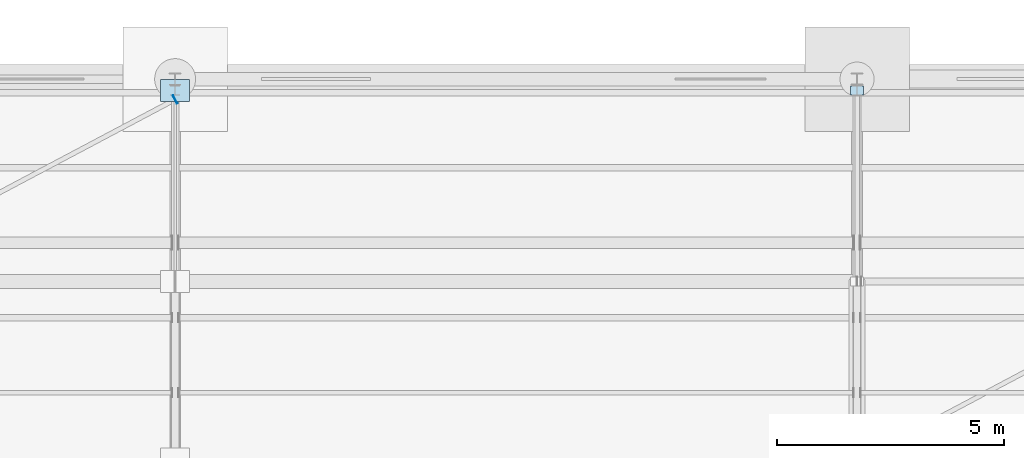
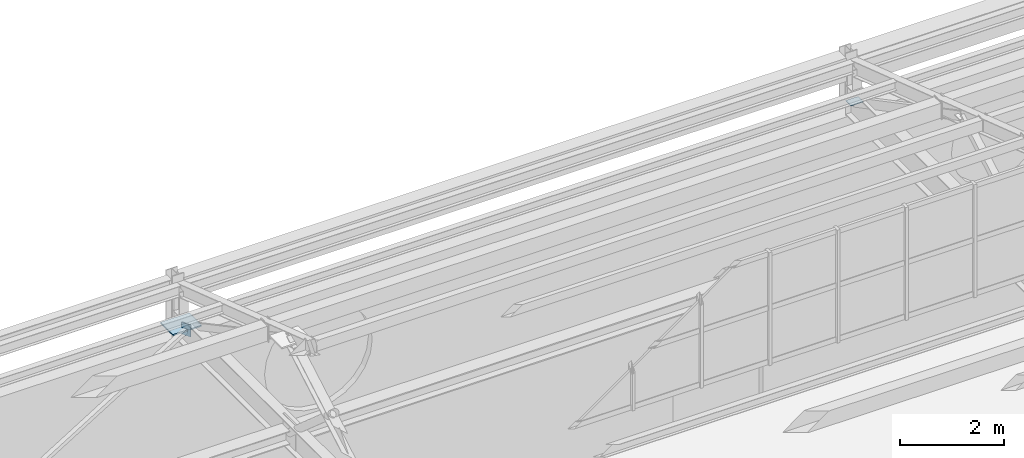
# One storey, part 245 of 285: 3 plates.
"""IFC4 building model written with IfcOpenShell, lengths in metres."""

from ifc_helpers import new_model, si_unit, direction, frame, origin, origin_2d, place, context, subcontext, project, spatial, rectangle, extrude, material, layer, layer_set, type_object, element, save


model = new_model("IFC4")

# Units and contexts
model_context = context("Model", 3, precision=1e-05, world=origin(), true_north=direction((0.0, 1.0)))
body_context = subcontext(model_context, "Body", "Model", "MODEL_VIEW")
ifc_project = project(units=[si_unit("LENGTHUNIT", "METRE"), si_unit("AREAUNIT", "SQUARE_METRE"), si_unit("VOLUMEUNIT", "CUBIC_METRE"), si_unit("PLANEANGLEUNIT", "RADIAN"), si_unit("MASSUNIT", "GRAM", prefix="KILO")], contexts=[model_context])

# Site, building, storey
site_placement = place(None, origin())
site = spatial("IfcSite", under=ifc_project, at=site_placement, CompositionType="ELEMENT")
building_placement = place(site_placement, origin())
building = spatial("IfcBuilding", under=site, at=building_placement, Name="Solanera Park Tramway Depot", CompositionType="ELEMENT")
storey_placement = place(building_placement, origin())
storey = spatial("IfcBuildingStorey", under=building, at=storey_placement, Name="L00", CompositionType="ELEMENT", Elevation=0.0)

# Plates
ifc_material_1 = material(Name="Steel AS/NZS 3679.1 Grade 350", Category="steel")
ifc_layer_1 = layer(ifc_material_1, 0.013916015625)
ifc_layer_set_1 = layer_set([ifc_layer_1], Name="Steel AS/NZS 3679.1 Grade 350")
plate_type_1 = type_object("IfcPlateType", Name="Hollow End Cap and Base Plate 280x200x14", PredefinedType="USERDEFINED", material=ifc_layer_set_1)
plate_1_placement = place(storey_placement, frame((120.0, 143.75, 6.4931640625), z_axis=(0.0, 0.0, 1.0), x_axis=(1.0, 0.0, 0.0)))
element("IfcPlate", 1, at=plate_1_placement, inside=storey, type_object=plate_type_1, Name="Sawtooth Truss Node Cap Plate #1034", ObjectType="BASE PLATE", PredefinedType="USERDEFINED", context=body_context, shape_type="SweptSolid", body=[
    extrude(rectangle(XDim=0.280029296875, YDim=0.199951171875, at=origin_2d()), origin(), (0.0, 0.0, 1.0), 0.013916015625),
])
plate_2_placement = place(storey_placement, frame((105.000732421875, 143.551513671875, 6.35986328125), z_axis=(0.0, 0.0, 1.0), x_axis=(0.883520501477, 0.468392488698, 0.0)))
element("IfcPlate", 2, at=plate_2_placement, inside=storey, type_object=plate_type_1, Name="Hollow Section Welded End Cap Plate #1099", ObjectType="BASE PLATE", PredefinedType="USERDEFINED", context=body_context, shape_type="SweptSolid", body=[
    extrude(rectangle(XDim=0.013916015625, YDim=0.199951171875, at=origin_2d()), origin(), (0.0, 0.0, 1.0), 0.280029296875),
])
ifc_material_2 = material(Name="Steel AS/NZS 3679.1 Grade 350", Category="steel")
ifc_layer_2 = layer(ifc_material_2, 0.031982421875)
ifc_layer_set_2 = layer_set([ifc_layer_2], Name="Steel AS/NZS 3679.1 Grade 350")
plate_type_2 = type_object("IfcPlateType", Name="Hollow End Cap and Base Plate 640x480x32", PredefinedType="USERDEFINED", material=ifc_layer_set_2)
plate_3_placement = place(storey_placement, frame((105.0, 143.75, 6.48388671875), z_axis=(0.0, 0.0, 1.0), x_axis=(1.0, 0.0, 0.0)))
element("IfcPlate", 3, at=plate_3_placement, inside=storey, type_object=plate_type_2, Name="Sawtooth Truss Node Cap Plate #1029", ObjectType="BASE PLATE", PredefinedType="USERDEFINED", context=body_context, shape_type="SweptSolid", body=[
    extrude(rectangle(XDim=0.639892578125, YDim=0.47998046875, at=origin_2d()), origin(), (0.0, 0.0, 1.0), 0.031982421875),
])

save(model, "model.ifc")
